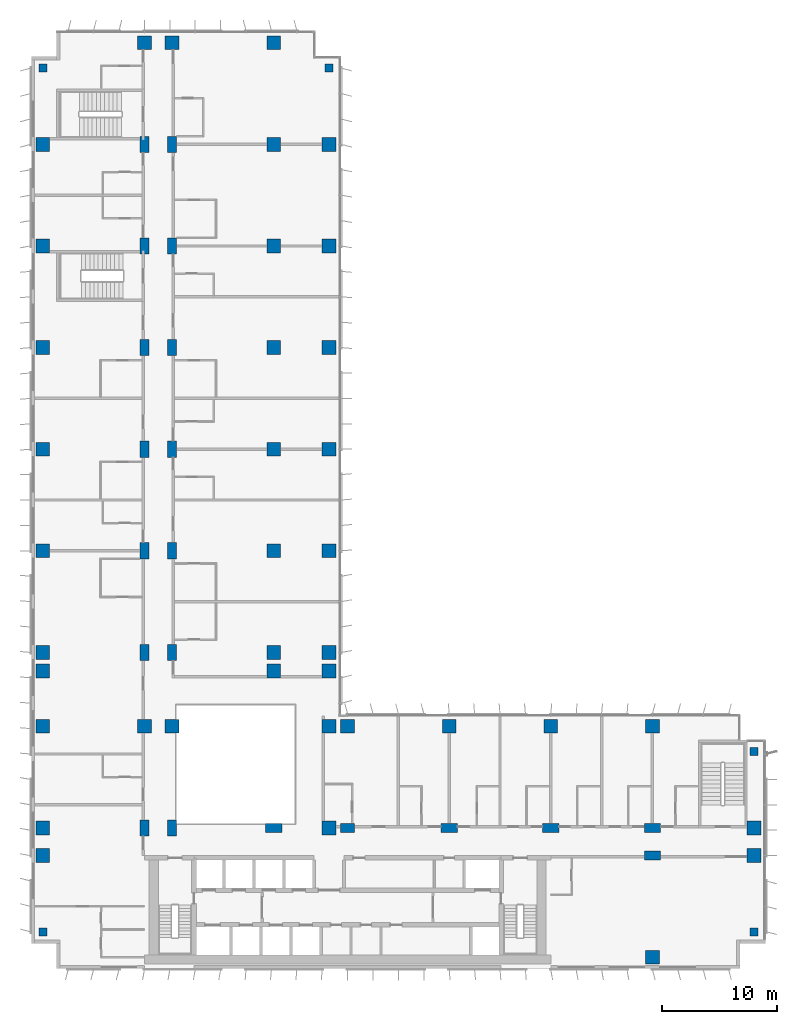
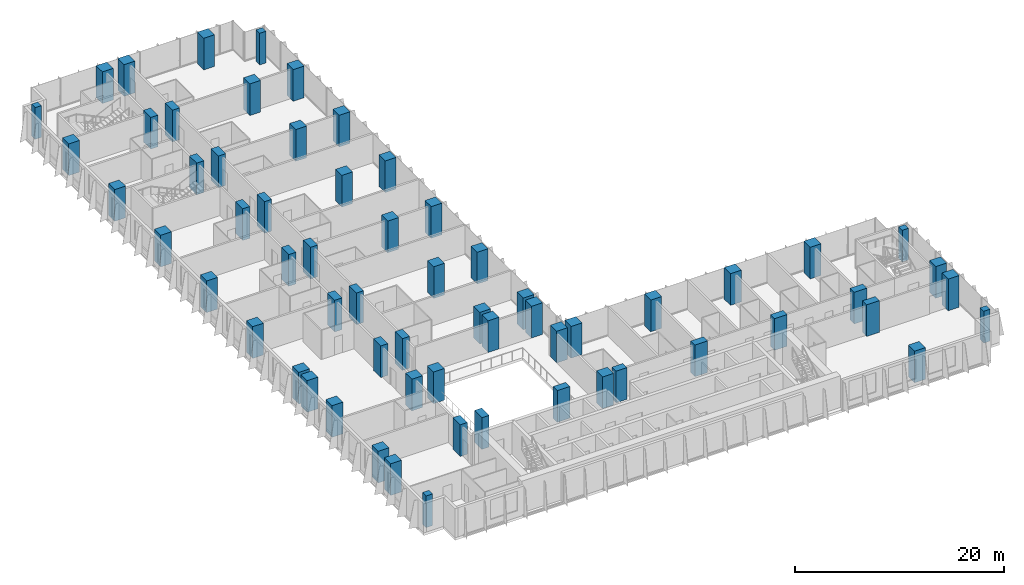
# One storey, part 1 of 22: 63 columns.
"""IFC4 building model written with IfcOpenShell, lengths in metres."""

from ifc_helpers import new_model, si_unit, direction, frame, origin, origin_2d, place, context, subcontext, project, spatial, rectangle, extrude, material, material_profile, profile_set, type_object, element, save


model = new_model("IFC4")

# Units and contexts
model_context = context("Model", 3, precision=1e-05, world=origin(), true_north=direction((0.0, 1.0)))
body_context = subcontext(model_context, "Body", "Model", "MODEL_VIEW")
ifc_project = project(units=[si_unit("LENGTHUNIT", "METRE"), si_unit("AREAUNIT", "SQUARE_METRE"), si_unit("VOLUMEUNIT", "CUBIC_METRE"), si_unit("PLANEANGLEUNIT", "RADIAN"), si_unit("MASSUNIT", "GRAM", prefix="KILO")], contexts=[model_context])

# Site, building, storey
site_placement = place(None, origin())
site = spatial("IfcSite", under=ifc_project, at=site_placement, CompositionType="ELEMENT")
building_placement = place(site_placement, origin())
building = spatial("IfcBuilding", under=site, at=building_placement, Name="Kemantara Hotel Tower", CompositionType="ELEMENT")
storey_placement = place(building_placement, frame((0.0, 0.0, 111.10009765625)))
storey = spatial("IfcBuildingStorey", under=building, at=storey_placement, Name="L26", CompositionType="ELEMENT", Elevation=111.10009765625)

# Columns
ifc_material = material(Name="Concrete fc 70 MPa", Category="concrete")
ifc_material_profile_1 = material_profile(ifc_material, rectangle(XDim=1.199951171875, YDim=1.199951171875, at=origin_2d()), Name="RC 1200X1200")
ifc_profile_set_1 = profile_set([ifc_material_profile_1], Name="Concrete fc 70 MPa")
column_type_1 = type_object("IfcColumnType", Name="RC COLUMN 1200X1200 FC70", PredefinedType="COLUMN", material=ifc_profile_set_1)
for number, where, z_axis, x_axis, name in (
    (1, (1.0, 9.800048828125, 0.0), (0.0, 0.0, 1.0), (1.0, 0.0, 0.0), "COLUMN 1/B L26"),
    (2, (1.0, 12.199951171875, 0.0), (0.0, 0.0, 1.0), (1.0, 0.0, 0.0), "COLUMN 1/BA L26"),
    (3, (1.0, 21.0, 0.0), (0.0, 0.0, 1.0), (1.0, 0.0, 0.0), "COLUMN 1/C L26"),
    (4, (1.0, 25.800048828125, 0.0), (0.0, 0.0, 1.0), (1.0, 0.0, 0.0), "COLUMN 1/CA L26"),
    (5, (1.0, 27.39990234375, 0.0), (0.0, 0.0, 1.0), (1.0, 0.0, 0.0), "COLUMN 1/D L26"),
    (6, (1.0, 36.199951171875, 0.0), (0.0, 0.0, 1.0), (1.0, 0.0, 0.0), "COLUMN 1/E L26"),
    (7, (1.0, 45.0, 0.0), (0.0, 0.0, 1.0), (1.0, 0.0, 0.0), "COLUMN 1/F L26"),
    (8, (1.0, 53.800048828125, 0.0), (0.0, 0.0, 1.0), (1.0, 0.0, 0.0), "COLUMN 1/G L26"),
    (9, (1.0, 62.60009765625, 0.0), (0.0, 0.0, 1.0), (1.0, 0.0, 0.0), "COLUMN 1/H L26"),
    (10, (1.0, 71.39990234375, 0.0), (0.0, 0.0, 1.0), (1.0, 0.0, 0.0), "COLUMN 1/J L26"),
    (11, (9.800048828125, 21.0, 0.0), (0.0, 0.0, 1.0), (1.0, 0.0, 0.0), "COLUMN 2/C L26"),
    (12, (9.800048828125, 80.199951171875, 0.0), (0.0, 0.0, 1.0), (1.0, 0.0, 0.0), "COLUMN 2/K L26"),
    (13, (12.199951171875, 21.0, 0.0), (0.0, 0.0, 1.0), (1.0, 0.0, 0.0), "COLUMN 2A/C L26"),
    (14, (12.199951171875, 80.199951171875, 0.0), (0.0, 0.0, 1.0), (1.0, 0.0, 0.0), "COLUMN 2A/K L26"),
    (15, (21.0, 25.800048828125, 0.0), (0.0, 0.0, 1.0), (1.0, 0.0, 0.0), "COLUMN 3/CA L26"),
    (16, (21.0, 27.39990234375, 0.0), (0.0, 0.0, 1.0), (1.0, 0.0, 0.0), "COLUMN 3/D L26"),
    (17, (21.0, 36.199951171875, 0.0), (0.0, 0.0, 1.0), (1.0, 0.0, 0.0), "COLUMN 3/E L26"),
    (18, (21.0, 45.0, 0.0), (0.0, 0.0, 1.0), (1.0, 0.0, 0.0), "COLUMN 3/F L26"),
    (19, (21.0, 53.800048828125, 0.0), (0.0, 0.0, 1.0), (1.0, 0.0, 0.0), "COLUMN 3/G L26"),
    (20, (21.0, 62.60009765625, 0.0), (0.0, 0.0, 1.0), (1.0, 0.0, 0.0), "COLUMN 3/H L26"),
    (21, (21.0, 71.39990234375, 0.0), (0.0, 0.0, 1.0), (1.0, 0.0, 0.0), "COLUMN 3/J L26"),
    (22, (21.0, 80.199951171875, 0.0), (0.0, 0.0, 1.0), (1.0, 0.0, 0.0), "COLUMN 3/K L26"),
    (23, (25.800048828125, 12.199951171875, 0.0), (0.0, 0.0, 1.0), (1.0, 0.0, 0.0), "COLUMN 3A/BA L26"),
    (24, (25.800048828125, 21.0, 0.0), (0.0, 0.0, 1.0), (1.0, 0.0, 0.0), "COLUMN 3A/C L26"),
    (25, (25.800048828125, 25.800048828125, 0.0), (0.0, 0.0, 1.0), (1.0, 0.0, 0.0), "COLUMN 3A/CA L26"),
    (26, (25.800048828125, 27.39990234375, 0.0), (0.0, 0.0, 1.0), (1.0, 0.0, 0.0), "COLUMN 3A/D L26"),
    (27, (25.800048828125, 36.199951171875, 0.0), (0.0, 0.0, 1.0), (1.0, 0.0, 0.0), "COLUMN 3A/E L26"),
    (28, (25.800048828125, 45.0, 0.0), (0.0, 0.0, 1.0), (1.0, 0.0, 0.0), "COLUMN 3A/F L26"),
    (29, (25.800048828125, 53.800048828125, 0.0), (0.0, 0.0, 1.0), (1.0, 0.0, 0.0), "COLUMN 3A/G L26"),
    (30, (25.800048828125, 62.60009765625, 0.0), (0.0, 0.0, 1.0), (1.0, 0.0, 0.0), "COLUMN 3A/H L26"),
    (31, (25.800048828125, 71.39990234375, 0.0), (0.0, 0.0, 1.0), (1.0, 0.0, 0.0), "COLUMN 3A/J L26"),
    (32, (27.39990234375, 21.0, 0.0), (0.0, 0.0, 1.0), (1.0, 0.0, 0.0), "COLUMN 4/C L26"),
    (33, (36.199951171875, 21.0, 0.0), (0.0, 0.0, 1.0), (1.0, 0.0, 0.0), "COLUMN 5/C L26"),
    (34, (45.0, 21.0, 0.0), (0.0, 0.0, 1.0), (1.0, 0.0, 0.0), "COLUMN 6/C L26"),
    (35, (53.800048828125, 1.0, 0.0), (0.0, 0.0, 1.0), (1.0, 0.0, 0.0), "COLUMN 7/A L26"),
    (36, (53.800048828125, 21.0, 0.0), (0.0, 0.0, 1.0), (1.0, 0.0, 0.0), "COLUMN 7/C L26"),
    (37, (62.60009765625, 9.800048828125, 0.0), (0.0, 0.0, 1.0), (1.0, 0.0, 0.0), "COLUMN 8/B L26"),
    (38, (62.60009765625, 12.199951171875, 0.0), (0.0, 0.0, 1.0), (1.0, 0.0, 0.0), "COLUMN 8/BA L26"),
):
    element("IfcColumn", number, at=place(storey_placement, frame(where, z_axis=z_axis, x_axis=x_axis)), inside=storey, type_object=column_type_1, Name=name, PredefinedType="COLUMN", context=body_context, shape_type="SweptSolid", body=[
        extrude(rectangle(XDim=1.199951171875, YDim=1.199951171875, at=origin_2d()), origin(), (0.0, 0.0, 1.0), 3.699951171875),
    ])
ifc_material_profile_2 = material_profile(ifc_material, rectangle(XDim=1.199951171875, YDim=0.800048828125, at=origin_2d()), Name="RC 1200X800")
ifc_profile_set_2 = profile_set([ifc_material_profile_2], Name="Concrete fc 70 MPa")
column_type_2 = type_object("IfcColumnType", Name="RC COLUMN 1200X800 FC70", PredefinedType="COLUMN", material=ifc_profile_set_2)
column_placement = place(storey_placement, frame((27.39990234375, 12.199951171875, 0.0), z_axis=(0.0, 0.0, 1.0), x_axis=(1.0, 0.0, 0.0)))
element("IfcColumn", 39, at=column_placement, inside=storey, type_object=column_type_2, Name="COLUMN 4/BA L26", PredefinedType="COLUMN", context=body_context, shape_type="SweptSolid", body=[
    extrude(rectangle(XDim=1.199951171875, YDim=0.800048828125, at=origin_2d()), origin(), (0.0, 0.0, 1.0), 3.699951171875),
])
ifc_material_profile_3 = material_profile(ifc_material, rectangle(XDim=1.39990234375, YDim=0.800048828125, at=origin_2d()), Name="RC 1400X800")
ifc_profile_set_3 = profile_set([ifc_material_profile_3], Name="Concrete fc 70 MPa")
column_type_3 = type_object("IfcColumnType", Name="RC COLUMN 1400X800 FC70", PredefinedType="COLUMN", material=ifc_profile_set_3)
for number, where, z_axis, x_axis, name in (
    (40, (9.800048828125, 12.199951171875, 0.0), (0.0, 0.0, 1.0), (0.0, 1.0, 0.0), "COLUMN 2/BA L26"),
    (41, (9.800048828125, 27.39990234375, 0.0), (0.0, 0.0, 1.0), (0.0, 1.0, 0.0), "COLUMN 2/D L26"),
    (42, (9.800048828125, 36.199951171875, 0.0), (0.0, 0.0, 1.0), (0.0, 1.0, 0.0), "COLUMN 2/E L26"),
    (43, (9.800048828125, 45.0, 0.0), (0.0, 0.0, 1.0), (0.0, 1.0, 0.0), "COLUMN 2/F L26"),
    (44, (9.800048828125, 53.800048828125, 0.0), (0.0, 0.0, 1.0), (0.0, 1.0, 0.0), "COLUMN 2/G L26"),
    (45, (9.800048828125, 62.60009765625, 0.0), (0.0, 0.0, 1.0), (0.0, 1.0, 0.0), "COLUMN 2/H L26"),
    (46, (9.800048828125, 71.39990234375, 0.0), (0.0, 0.0, 1.0), (0.0, 1.0, 0.0), "COLUMN 2/J L26"),
    (47, (12.199951171875, 12.199951171875, 0.0), (0.0, 0.0, 1.0), (0.0, 1.0, 0.0), "COLUMN 2A/BA L26"),
    (48, (12.199951171875, 27.39990234375, 0.0), (0.0, 0.0, 1.0), (0.0, 1.0, 0.0), "COLUMN 2A/D L26"),
    (49, (12.199951171875, 36.199951171875, 0.0), (0.0, 0.0, 1.0), (0.0, 1.0, 0.0), "COLUMN 2A/E L26"),
    (50, (12.199951171875, 45.0, 0.0), (0.0, 0.0, 1.0), (0.0, 1.0, 0.0), "COLUMN 2A/F L26"),
    (51, (12.199951171875, 53.800048828125, 0.0), (0.0, 0.0, 1.0), (0.0, 1.0, 0.0), "COLUMN 2A/G L26"),
    (52, (12.199951171875, 62.60009765625, 0.0), (0.0, 0.0, 1.0), (0.0, 1.0, 0.0), "COLUMN 2A/H L26"),
    (53, (12.199951171875, 71.39990234375, 0.0), (0.0, 0.0, 1.0), (0.0, 1.0, 0.0), "COLUMN 2A/J L26"),
    (54, (21.0, 12.199951171875, 0.0), (0.0, 0.0, 1.0), (1.0, 0.0, 0.0), "COLUMN 3/BA L26"),
    (55, (36.199951171875, 12.199951171875, 0.0), (0.0, 0.0, 1.0), (1.0, 0.0, 0.0), "COLUMN 5/BA L26"),
    (56, (45.0, 12.199951171875, 0.0), (0.0, 0.0, 1.0), (1.0, 0.0, 0.0), "COLUMN 6/BA L26"),
    (57, (53.800048828125, 9.800048828125, 0.0), (0.0, 0.0, 1.0), (1.0, 0.0, 0.0), "COLUMN 7/B L26"),
    (58, (53.800048828125, 12.199951171875, 0.0), (0.0, 0.0, 1.0), (1.0, 0.0, 0.0), "COLUMN 7/BA L26"),
):
    element("IfcColumn", number, at=place(storey_placement, frame(where, z_axis=z_axis, x_axis=x_axis)), inside=storey, type_object=column_type_3, Name=name, PredefinedType="COLUMN", context=body_context, shape_type="SweptSolid", body=[
        extrude(rectangle(XDim=1.39990234375, YDim=0.800048828125, at=origin_2d()), origin(), (0.0, 0.0, 1.0), 3.699951171875),
    ])
ifc_material_profile_4 = material_profile(ifc_material, rectangle(XDim=0.699951171875, YDim=0.699951171875, at=origin_2d()), Name="RC 700X700")
ifc_profile_set_4 = profile_set([ifc_material_profile_4], Name="Concrete fc 70 MPa")
column_type_4 = type_object("IfcColumnType", Name="RC COLUMN 700X700 FC70", PredefinedType="COLUMN", material=ifc_profile_set_4)
for number, where, z_axis, x_axis, name in (
    (59, (1.0, 3.199951171875, 0.0), (0.0, 0.0, 1.0), (1.0, 0.0, 0.0), "COLUMN notch corner L26"),
    (60, (1.0, 78.0, 0.0), (0.0, 0.0, 1.0), (1.0, 0.0, 0.0), "COLUMN notch corner L26"),
    (61, (25.800048828125, 78.0, 0.0), (0.0, 0.0, 1.0), (1.0, 0.0, 0.0), "COLUMN notch corner L26"),
    (62, (62.60009765625, 3.199951171875, 0.0), (0.0, 0.0, 1.0), (1.0, 0.0, 0.0), "COLUMN notch corner L26"),
    (63, (62.60009765625, 18.800048828125, 0.0), (0.0, 0.0, 1.0), (1.0, 0.0, 0.0), "COLUMN notch corner L26"),
):
    element("IfcColumn", number, at=place(storey_placement, frame(where, z_axis=z_axis, x_axis=x_axis)), inside=storey, type_object=column_type_4, Name=name, PredefinedType="COLUMN", context=body_context, shape_type="SweptSolid", body=[
        extrude(rectangle(XDim=0.699951171875, YDim=0.699951171875, at=origin_2d()), origin(), (0.0, 0.0, 1.0), 3.699951171875),
    ])

save(model, "model.ifc")
